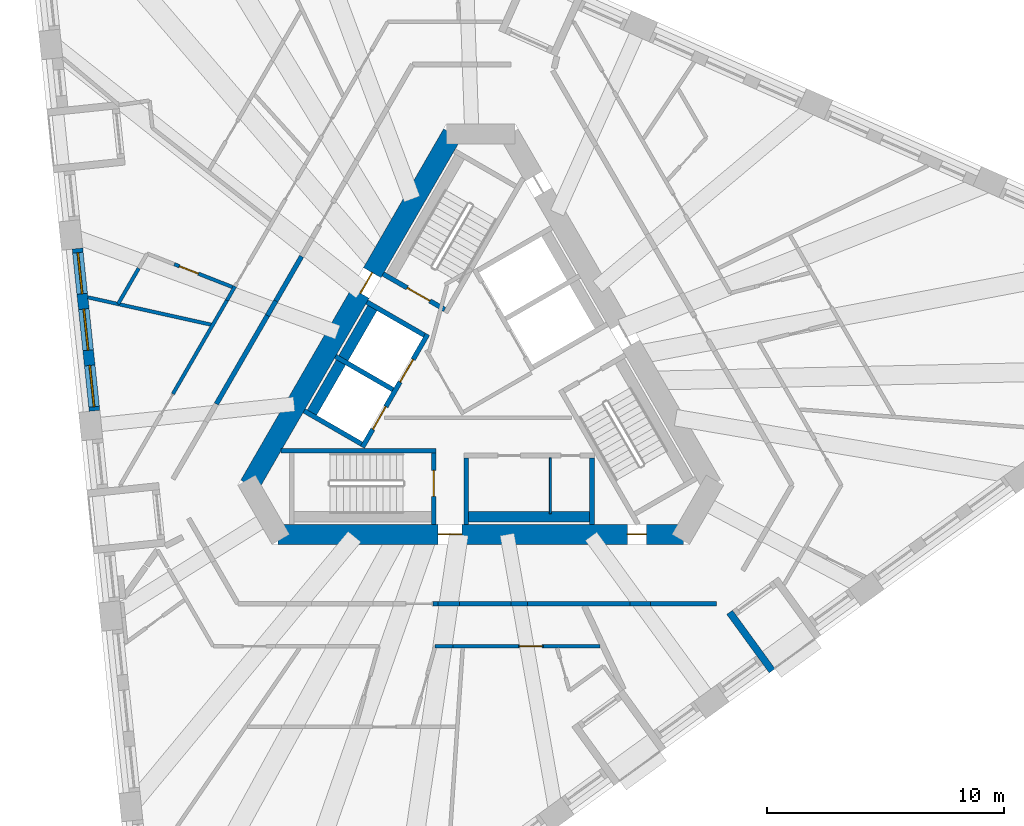
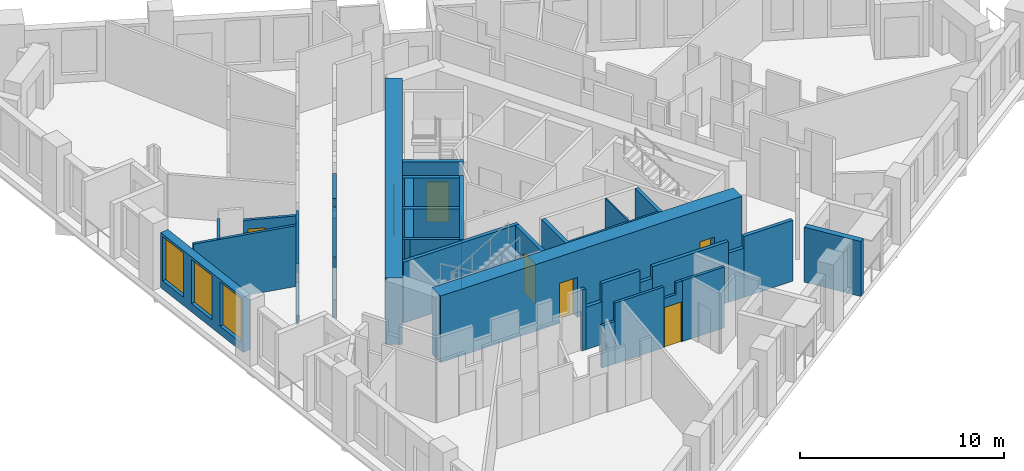
# One storey, part 4 of 14: 35 walls, 9 doors, 3 windows, 12 openings.
"""IFC4 building model written with IfcOpenShell, lengths in metres."""

from ifc_helpers import new_model, si_unit, direction, frame, frame_2d, origin, place, context, subcontext, project, spatial, polyline, rectangle, outline, extrude, material, layer, layer_set, type_object, element, fill, save


model = new_model("IFC4")

# Units and contexts
model_context = context("Model", 3, precision=1e-05, world=origin(), true_north=direction((0.0, 1.0)))
body_context = subcontext(model_context, "Body", "Model", "MODEL_VIEW")
ifc_project = project(units=[si_unit("LENGTHUNIT", "METRE"), si_unit("AREAUNIT", "SQUARE_METRE"), si_unit("VOLUMEUNIT", "CUBIC_METRE"), si_unit("PLANEANGLEUNIT", "RADIAN"), si_unit("MASSUNIT", "GRAM", prefix="KILO")], contexts=[model_context])

# Site, building, storey
site_placement = place(None, origin())
site = spatial("IfcSite", under=ifc_project, at=site_placement, CompositionType="ELEMENT")
building_placement = place(site_placement, origin())
building = spatial("IfcBuilding", under=site, at=building_placement, Name="Tramontana Tower", CompositionType="ELEMENT")
storey_placement = place(building_placement, frame((0.0, 0.0, 178.800048828125)))
storey = spatial("IfcBuildingStorey", under=building, at=storey_placement, Name="L41", CompositionType="ELEMENT", Elevation=178.800048828125)

# Wall, opening, door
ifc_material_1 = material(Name="Concrete 70 MPa", Category="concrete")
ifc_layer_1 = layer(ifc_material_1, 0.85009765625)
ifc_layer_set_1 = layer_set([ifc_layer_1], Name="Core wall 850 70 MPa")
wall_type_1 = type_object("IfcWallType", Name="Core wall 850 70 MPa", PredefinedType="SHEAR", material=ifc_layer_set_1)
wall_1_placement = place(storey_placement, frame((-1.197998046875, 10.574951171875, 0.0), z_axis=(0.0, 0.0, 1.0), x_axis=(-0.499995289315, -0.866028123483, 0.0)))
wall_1 = element("IfcWall", 1, at=wall_1_placement, inside=storey, type_object=wall_type_1, Name="Core wall C1 L41", PredefinedType="SHEAR", context=body_context, shape_type="SweptSolid", body=[
    extrude(rectangle(XDim=17.118408203125, YDim=0.85009765625, at=frame_2d((8.55908203125, 0.0))), origin(), (0.0, 0.0, 1.0), 4.0),
])
opening_1_placement = place(wall_1_placement, frame((6.76416015625, 0.0, 0.0)))
opening_1 = element("IfcOpeningElement", 2, at=opening_1_placement, cuts=wall_1, Name="Opening RG1", PredefinedType="OPENING", context=body_context, shape_type="SweptSolid", body=[
    extrude(rectangle(XDim=1.0, YDim=2.39990234375, at=frame_2d((0.5, 1.199951171875))), frame((0.0, 0.43505859375, 0.0), z_axis=(0.0, -1.0, 0.0), x_axis=(1.0, 0.0, 0.0)), (0.0, 0.0, 1.0), 0.8701171875),
])
ifc_material_2 = material(Name="Painted steel", Category="steel")
door_type_1 = type_object("IfcDoorType", Name="RING DOOR 1000", OperationType="SINGLE_SWING_LEFT", PredefinedType="DOOR", material=ifc_material_2)
door_1_placement = place(opening_1_placement, origin())
door_1 = element("IfcDoor", 3, at=door_1_placement, inside=storey, type_object=door_type_1, Name="Door RG1", OperationType="SINGLE_SWING_RIGHT", OverallHeight=2.39990234375, OverallWidth=1.0, PredefinedType="DOOR", context=body_context, shape_type="SweptSolid", body=[
    extrude(rectangle(XDim=1.0, YDim=2.39990234375, at=frame_2d((0.5, 1.199951171875))), frame((0.0, 0.02490234375, 0.0), z_axis=(0.0, -1.0, 0.0), x_axis=(1.0, 0.0, 0.0)), (0.0, 0.0, 1.0), 0.050048828125),
])
fill(opening_1, door_1)

# Wall, openings, doors
wall_2_placement = place(storey_placement, frame((-8.55908203125, -6.324951171875, 0.0), z_axis=(0.0, 0.0, 1.0), x_axis=(1.0, 0.0, 0.0)))
wall_2 = element("IfcWall", 4, at=wall_2_placement, inside=storey, type_object=wall_type_1, Name="Core wall C3 L41", PredefinedType="SHEAR", context=body_context, shape_type="SweptSolid", body=[
    extrude(rectangle(XDim=17.1181640625, YDim=0.85009765625, at=frame_2d((8.55908203125, 0.0))), origin(), (0.0, 0.0, 1.0), 4.0),
])
opening_2_placement = place(wall_2_placement, frame((6.76416015625, 0.0, 0.0)))
opening_2 = element("IfcOpeningElement", 5, at=opening_2_placement, cuts=wall_2, Name="Opening RG2", PredefinedType="OPENING", context=body_context, shape_type="SweptSolid", body=[
    extrude(rectangle(XDim=1.0, YDim=2.39990234375, at=frame_2d((0.5, 1.199951171875))), frame((0.0, 0.43505859375, 0.0), z_axis=(0.0, -1.0, 0.0), x_axis=(1.0, 0.0, 0.0)), (0.0, 0.0, 1.0), 0.8701171875),
])
opening_3_placement = place(wall_2_placement, frame((14.7421875, 0.0, 0.0)))
opening_3 = element("IfcOpeningElement", 6, at=opening_3_placement, cuts=wall_2, Name="Opening PD2", PredefinedType="OPENING", context=body_context, shape_type="SweptSolid", body=[
    extrude(rectangle(XDim=0.800048828125, YDim=2.10009765625, at=frame_2d((0.39990234375, 1.050048828125))), frame((0.0, 0.43505859375, 0.0), z_axis=(0.0, -1.0, 0.0), x_axis=(1.0, 0.0, 0.0)), (0.0, 0.0, 1.0), 0.8701171875),
])
ifc_material_3 = material(Name="Painted steel", Category="steel")
door_type_2 = type_object("IfcDoorType", Name="CUPBOARD DOOR 800", OperationType="SINGLE_SWING_LEFT", PredefinedType="DOOR", material=ifc_material_3)
door_2_placement = place(opening_3_placement, origin())
door_2 = element("IfcDoor", 7, at=door_2_placement, inside=storey, type_object=door_type_2, Name="Door PD2", OperationType="SINGLE_SWING_LEFT", OverallHeight=2.10009765625, OverallWidth=0.800048828125, PredefinedType="DOOR", context=body_context, shape_type="SweptSolid", body=[
    extrude(rectangle(XDim=0.800048828125, YDim=2.10009765625, at=frame_2d((0.39990234375, 1.050048828125))), frame((0.0, 0.02490234375, 0.0), z_axis=(0.0, -1.0, 0.0), x_axis=(1.0, 0.0, 0.0)), (0.0, 0.0, 1.0), 0.050048828125),
])
fill(opening_3, door_2)
door_3_placement = place(opening_2_placement, origin())
door_3 = element("IfcDoor", 8, at=door_3_placement, inside=storey, type_object=door_type_1, Name="Door RG2", OperationType="SINGLE_SWING_LEFT", OverallHeight=2.39990234375, OverallWidth=1.0, PredefinedType="DOOR", context=body_context, shape_type="SweptSolid", body=[
    extrude(rectangle(XDim=1.0, YDim=2.39990234375, at=frame_2d((0.5, 1.199951171875))), frame((0.0, 0.02490234375, 0.0), z_axis=(0.0, -1.0, 0.0), x_axis=(1.0, 0.0, 0.0)), (0.0, 0.0, 1.0), 0.050048828125),
])
fill(opening_2, door_3)

# Walls
ifc_material_4 = material(Name="Blockwork", Category="masonry")
ifc_layer_2 = layer(ifc_material_4, 0.199951171875)
ifc_layer_set_2 = layer_set([ifc_layer_2], Name="ENTRY WALL 200")
wall_type_2 = type_object("IfcWallType", Name="ENTRY WALL 200", PredefinedType="SOLIDWALL", material=ifc_layer_set_2)
wall_3_placement = place(storey_placement, frame((9.95166015625, -9.25, 0.0), z_axis=(0.0, 0.0, 1.0), x_axis=(-1.0, 0.0, 0.0)))
element("IfcWall", 9, at=wall_3_placement, inside=storey, type_object=wall_type_2, Name="Wall v41-ew2-0", PredefinedType="SOLIDWALL", context=body_context, shape_type="SweptSolid", body=[
    extrude(rectangle(XDim=2.798583984375, YDim=0.199951171875, at=frame_2d((1.3994140625, 0.0))), origin(), (0.0, 0.0, 1.0), 3.64990234375),
])
wall_4_placement = place(storey_placement, frame((7.153076171875, -9.25, 0.0), z_axis=(0.0, 0.0, 1.0), x_axis=(-1.0, 0.0, 0.0)))
element("IfcWall", 10, at=wall_4_placement, inside=storey, type_object=wall_type_2, Name="Wall v41-ew2-1", PredefinedType="SOLIDWALL", context=body_context, shape_type="SweptSolid", body=[
    extrude(rectangle(XDim=0.865234375, YDim=0.199951171875, at=frame_2d((0.4326171875, 0.0))), origin(), (0.0, 0.0, 1.0), 2.949951171875),
])
wall_5_placement = place(storey_placement, frame((6.287841796875, -9.25, 0.0), z_axis=(0.0, 0.0, 1.0), x_axis=(-1.0, 0.0, 0.0)))
element("IfcWall", 11, at=wall_5_placement, inside=storey, type_object=wall_type_2, Name="Wall v41-ew2-2", PredefinedType="SOLIDWALL", context=body_context, shape_type="SweptSolid", body=[
    extrude(rectangle(XDim=4.306640625, YDim=0.199951171875, at=frame_2d((2.1533203125, 0.0))), origin(), (0.0, 0.0, 1.0), 3.64990234375),
])
wall_6_placement = place(storey_placement, frame((1.981201171875, -9.25, 0.0), z_axis=(0.0, 0.0, 1.0), x_axis=(-1.0, 0.0, 0.0)))
element("IfcWall", 12, at=wall_6_placement, inside=storey, type_object=wall_type_2, Name="Wall v41-ew2-3", PredefinedType="SOLIDWALL", context=body_context, shape_type="SweptSolid", body=[
    extrude(rectangle(XDim=0.710693359375, YDim=0.199951171875, at=frame_2d((0.35546875, 0.0))), origin(), (0.0, 0.0, 1.0), 2.949951171875),
])
wall_7_placement = place(storey_placement, frame((1.2705078125, -9.25, 0.0), z_axis=(0.0, 0.0, 1.0), x_axis=(-1.0, 0.0, 0.0)))
element("IfcWall", 13, at=wall_7_placement, inside=storey, type_object=wall_type_2, Name="Wall v41-ew2-4", PredefinedType="SOLIDWALL", context=body_context, shape_type="SweptSolid", body=[
    extrude(rectangle(XDim=2.169677734375, YDim=0.199951171875, at=frame_2d((1.0849609375, 0.0))), origin(), (0.0, 0.0, 1.0), 3.64990234375),
])
wall_8_placement = place(storey_placement, frame((-0.899169921875, -9.25, 0.0), z_axis=(0.0, 0.0, 1.0), x_axis=(-1.0, 0.0, 0.0)))
element("IfcWall", 14, at=wall_8_placement, inside=storey, type_object=wall_type_2, Name="Wall v41-ew2-5", PredefinedType="SOLIDWALL", context=body_context, shape_type="SweptSolid", body=[
    extrude(rectangle(XDim=0.909423828125, YDim=0.199951171875, at=frame_2d((0.45458984375, 0.0))), origin(), (0.0, 0.0, 1.0), 2.550048828125),
])
wall_9_placement = place(storey_placement, frame((-1.80859375, -9.25, 0.0), z_axis=(0.0, 0.0, 1.0), x_axis=(-1.0, 0.0, 0.0)))
element("IfcWall", 15, at=wall_9_placement, inside=storey, type_object=wall_type_2, Name="Wall v41-ew2-6", PredefinedType="SOLIDWALL", context=body_context, shape_type="SweptSolid", body=[
    extrude(rectangle(XDim=0.200439453125, YDim=0.199951171875, at=frame_2d((0.10009765625, 0.0))), origin(), (0.0, 0.0, 1.0), 3.64990234375),
])
wall_10_placement = place(storey_placement, frame((-11.15478515625, -0.820556640625, 0.0), z_axis=(0.0, 0.0, 1.0), x_axis=(0.499992344383, 0.866029823712, 0.0)))
element("IfcWall", 16, at=wall_10_placement, inside=storey, type_object=wall_type_2, Name="Wall v41-ew4-2", PredefinedType="SOLIDWALL", context=body_context, shape_type="SweptSolid", body=[
    extrude(rectangle(XDim=4.306640625, YDim=0.199951171875, at=frame_2d((2.1533203125, 0.0))), origin(), (0.0, 0.0, 1.0), 3.64990234375),
])
wall_11_placement = place(storey_placement, frame((-9.00146484375, 2.9091796875, 0.0), z_axis=(0.0, 0.0, 1.0), x_axis=(0.50012879774, 0.865951029603, 0.0)))
element("IfcWall", 17, at=wall_11_placement, inside=storey, type_object=wall_type_2, Name="Wall v41-ew4-3", PredefinedType="SOLIDWALL", context=body_context, shape_type="SweptSolid", body=[
    extrude(rectangle(XDim=0.710693359375, YDim=0.199951171875, at=frame_2d((0.35546875, 0.0))), origin(), (0.0, 0.0, 1.0), 2.949951171875),
])
wall_12_placement = place(storey_placement, frame((-8.64599609375, 3.524658203125, 0.0), z_axis=(0.0, 0.0, 1.0), x_axis=(0.499975720793, 0.866039420937, 0.0)))
element("IfcWall", 18, at=wall_12_placement, inside=storey, type_object=wall_type_2, Name="Wall v41-ew4-4", PredefinedType="SOLIDWALL", context=body_context, shape_type="SweptSolid", body=[
    extrude(rectangle(XDim=2.16943359375, YDim=0.199951171875, at=frame_2d((1.084716796875, 0.0))), origin(), (0.0, 0.0, 1.0), 3.64990234375),
])

# Wall, openings, windows
ifc_material_5 = material(Name="Precast concrete 60 MPa", Category="concrete")
ifc_layer_3 = layer(ifc_material_5, 0.449951171875)
ifc_layer_set_3 = layer_set([ifc_layer_3], Name="Precast concrete 60 MPa, 450 mm")
wall_type_3 = type_object("IfcWallType", Name="EW1 Stone-faced precast wall 450", PredefinedType="SOLIDWALL", material=ifc_layer_set_3)
wall_13_placement = place(storey_placement, frame((-17.017822265625, 5.735595703125, 0.0), z_axis=(0.0, 0.0, 1.0), x_axis=(0.104531531326, -0.994521572898, 0.0)))
wall_13 = element("IfcWall", 19, at=wall_13_placement, inside=storey, type_object=wall_type_3, Name="External wall L41 face 0 bay 3", PredefinedType="SOLIDWALL", context=body_context, shape_type="SweptSolid", body=[
    extrude(rectangle(XDim=6.8828125, YDim=0.449951171875, at=frame_2d((3.44140625, 0.0))), origin(), (0.0, 0.0, 1.0), 3.300048828125),
])
opening_4_placement = place(wall_13_placement, frame((0.172119140625, 0.0, 0.5)))
opening_4 = element("IfcOpeningElement", 20, at=opening_4_placement, cuts=wall_13, Name="Opening M2", PredefinedType="OPENING", context=body_context, shape_type="SweptSolid", body=[
    extrude(rectangle(XDim=1.75, YDim=2.64990234375, at=frame_2d((0.875, 1.324951171875))), frame((0.0, 0.23486328125, 0.0), z_axis=(0.0, -1.0, 0.0), x_axis=(1.0, 0.0, 0.0)), (0.0, 0.0, 1.0), 0.469970703125),
])
opening_5_placement = place(wall_13_placement, frame((2.56640625, 0.0, 0.5)))
opening_5 = element("IfcOpeningElement", 21, at=opening_5_placement, cuts=wall_13, Name="Opening M2", PredefinedType="OPENING", context=body_context, shape_type="SweptSolid", body=[
    extrude(rectangle(XDim=1.75, YDim=2.64990234375, at=frame_2d((0.875, 1.324951171875))), frame((0.0, 0.23486328125, 0.0), z_axis=(0.0, -1.0, 0.0), x_axis=(1.0, 0.0, 0.0)), (0.0, 0.0, 1.0), 0.469970703125),
])
opening_6_placement = place(wall_13_placement, frame((4.960693359375, 0.0, 0.5)))
opening_6 = element("IfcOpeningElement", 22, at=opening_6_placement, cuts=wall_13, Name="Opening M2", PredefinedType="OPENING", context=body_context, shape_type="SweptSolid", body=[
    extrude(rectangle(XDim=1.75, YDim=2.64990234375, at=frame_2d((0.875, 1.324951171875))), frame((0.0, 0.23486328125, 0.0), z_axis=(0.0, -1.0, 0.0), x_axis=(1.0, 0.0, 0.0)), (0.0, 0.0, 1.0), 0.469970703125),
])
ifc_material_6 = material(Name="Aluminum frame, double glazing unit", Category="aluminium")
window_type = type_object("IfcWindowType", Name="M2 Window 1.75 x 2.65", PartitioningType="SINGLE_PANEL", PredefinedType="WINDOW", material=ifc_material_6)
window_1_placement = place(opening_4_placement, origin())
window_1 = element("IfcWindow", 23, at=window_1_placement, inside=storey, type_object=window_type, Name="Window M2 L41 face 0 module 7", OverallHeight=2.64990234375, OverallWidth=1.75, PartitioningType="SINGLE_PANEL", PredefinedType="WINDOW", context=body_context, shape_type="SweptSolid", body=[
    extrude(rectangle(XDim=1.75, YDim=2.64990234375, at=frame_2d((0.875, 1.324951171875))), frame((0.0, 0.030029296875, 0.0), z_axis=(0.0, -1.0, 0.0), x_axis=(1.0, 0.0, 0.0)), (0.0, 0.0, 1.0), 0.06005859375),
])
fill(opening_4, window_1)
window_2_placement = place(opening_5_placement, origin())
window_2 = element("IfcWindow", 24, at=window_2_placement, inside=storey, type_object=window_type, Name="Window M2 L41 face 0 module 8", OverallHeight=2.64990234375, OverallWidth=1.75, PartitioningType="SINGLE_PANEL", PredefinedType="WINDOW", context=body_context, shape_type="SweptSolid", body=[
    extrude(rectangle(XDim=1.75, YDim=2.64990234375, at=frame_2d((0.875, 1.324951171875))), frame((0.0, 0.030029296875, 0.0), z_axis=(0.0, -1.0, 0.0), x_axis=(1.0, 0.0, 0.0)), (0.0, 0.0, 1.0), 0.06005859375),
])
fill(opening_5, window_2)
window_3_placement = place(opening_6_placement, origin())
window_3 = element("IfcWindow", 25, at=window_3_placement, inside=storey, type_object=window_type, Name="Window M2 L41 face 0 module 9", OverallHeight=2.64990234375, OverallWidth=1.75, PartitioningType="SINGLE_PANEL", PredefinedType="WINDOW", context=body_context, shape_type="SweptSolid", body=[
    extrude(rectangle(XDim=1.75, YDim=2.64990234375, at=frame_2d((0.875, 1.324951171875))), frame((0.0, 0.030029296875, 0.0), z_axis=(0.0, -1.0, 0.0), x_axis=(1.0, 0.0, 0.0)), (0.0, 0.0, 1.0), 0.06005859375),
])
fill(opening_6, window_3)

# Walls
ifc_material_7 = material(Name="Precast concrete 60 MPa", Category="concrete")
ifc_layer_4 = layer(ifc_material_7, 0.300048828125)
ifc_layer_set_4 = layer_set([ifc_layer_4], Name="LW1 Stone-faced loggia wall 300")
wall_type_4 = type_object("IfcWallType", Name="LW1 Stone-faced loggia wall 300", PredefinedType="SOLIDWALL", material=ifc_layer_set_4)
wall_14_placement = place(storey_placement, frame((12.29345703125, -12.08154296875, 0.0), z_axis=(0.0, 0.0, 1.0), x_axis=(-0.587776590479, 0.80902328748, 0.0)))
element("IfcWall", 26, at=wall_14_placement, inside=storey, type_object=wall_type_4, Name="Loggia return L41 G4S1.10a", PredefinedType="SOLIDWALL", context=body_context, shape_type="SweptSolid", body=[
    extrude(rectangle(XDim=3.050048828125, YDim=0.300048828125, at=frame_2d((1.52490234375, 0.0))), origin(), (0.0, 0.0, 1.0), 3.300048828125),
])
ifc_material_8 = material(Name="Gypsum board partition")
ifc_layer_5 = layer(ifc_material_8, 0.14990234375)
ifc_layer_set_5 = layer_set([ifc_layer_5], Name="PARTITION 150")
wall_type_5 = type_object("IfcWallType", Name="PARTITION 150", PredefinedType="PARTITIONING", material=ifc_layer_set_5)
wall_15_placement = place(storey_placement, frame((-15.3017578125, 3.396484375, 0.0), z_axis=(0.0, 0.0, 1.0), x_axis=(0.499989842173, 0.866031268329, 0.0)))
element("IfcWall", 27, at=wall_15_placement, inside=storey, type_object=wall_type_5, Name="Wall v41-pw00-0", PredefinedType="PARTITIONING", context=body_context, shape_type="SweptSolid", body=[
    extrude(rectangle(XDim=1.73876953125, YDim=0.14990234375, at=frame_2d((0.869384765625, 0.0))), origin(), (0.0, 0.0, 1.0), 3.64990234375),
])
wall_16_placement = place(storey_placement, frame((-12.98876953125, -0.3974609375, 0.0), z_axis=(0.0, 0.0, 1.0), x_axis=(0.499962245075, 0.866047200503, 0.0)))
element("IfcWall", 28, at=wall_16_placement, inside=storey, type_object=wall_type_5, Name="Wall v41-pw02-2", PredefinedType="PARTITIONING", context=body_context, shape_type="SweptSolid", body=[
    extrude(rectangle(XDim=4.553466796875, YDim=0.14990234375, at=frame_2d((2.27685546875, 0.0))), origin(), (0.0, 0.0, 1.0), 3.64990234375),
])
wall_17_placement = place(storey_placement, frame((-10.712158203125, 3.546142578125, 0.0), z_axis=(0.0, 0.0, 1.0), x_axis=(0.50012328804, 0.865954211699, 0.0)))
element("IfcWall", 29, at=wall_17_placement, inside=storey, type_object=wall_type_5, Name="Wall v41-pw02-3", PredefinedType="PARTITIONING", context=body_context, shape_type="SweptSolid", body=[
    extrude(rectangle(XDim=0.685302734375, YDim=0.14990234375, at=frame_2d((0.3427734375, 0.0))), origin(), (0.0, 0.0, 1.0), 2.949951171875),
])

# Wall, opening, door
wall_18_placement = place(storey_placement, frame((-10.4736328125, 4.109375, 0.0), z_axis=(0.0, 0.0, 1.0), x_axis=(-0.930912162403, 0.365243132571, 0.0)))
wall_18 = element("IfcWall", 30, at=wall_18_placement, inside=storey, type_object=wall_type_5, Name="Wall v41-pw08-1", PredefinedType="PARTITIONING", context=body_context, shape_type="SweptSolid", body=[
    extrude(rectangle(XDim=2.6396484375, YDim=0.14990234375, at=frame_2d((1.31982421875, 0.0))), origin(), (0.0, 0.0, 1.0), 2.949951171875),
])
opening_7_placement = place(wall_18_placement, frame((1.55224609375, 0.0, 0.0)))
opening_7 = element("IfcOpeningElement", 31, at=opening_7_placement, cuts=wall_18, Name="Opening B4B-07", PredefinedType="OPENING", context=body_context, shape_type="SweptSolid", body=[
    extrude(rectangle(XDim=0.85009765625, YDim=2.39990234375, at=frame_2d((0.425048828125, 1.199951171875))), frame((0.0, 0.0849609375, 0.0), z_axis=(0.0, -1.0, 0.0), x_axis=(1.0, 0.0, 0.0)), (0.0, 0.0, 1.0), 0.169921875),
])
ifc_material_9 = material(Name="Painted timber", Category="wood")
door_type_3 = type_object("IfcDoorType", Name="DOOR BATH 850", OperationType="SINGLE_SWING_LEFT", PredefinedType="DOOR", material=ifc_material_9)
door_4_placement = place(opening_7_placement, origin())
door_4 = element("IfcDoor", 32, at=door_4_placement, inside=storey, type_object=door_type_3, Name="Door B4B-07", OperationType="SINGLE_SWING_LEFT", OverallHeight=2.39990234375, OverallWidth=0.85009765625, PredefinedType="DOOR", context=body_context, shape_type="SweptSolid", body=[
    extrude(rectangle(XDim=0.85009765625, YDim=2.39990234375, at=frame_2d((0.425048828125, 1.199951171875))), frame((0.0, 0.02490234375, 0.0), z_axis=(0.0, -1.0, 0.0), x_axis=(1.0, 0.0, 0.0)), (0.0, 0.0, 1.0), 0.050048828125),
])
fill(opening_7, door_4)

# Walls
wall_19_placement = place(storey_placement, frame((-11.3125, 2.509033203125, 0.0), z_axis=(0.0, 0.0, 1.0), x_axis=(-0.976273304497, 0.216541993449, 0.0)))
element("IfcWall", 33, at=wall_19_placement, inside=storey, type_object=wall_type_5, Name="Wall v41-pw16", PredefinedType="PARTITIONING", context=body_context, shape_type="SweptSolid", body=[
    extrude(rectangle(XDim=5.390380859375, YDim=0.14990234375, at=frame_2d((2.6953125, 0.0))), origin(), (0.0, 0.0, 1.0), 3.64990234375),
])
wall_20_placement = place(storey_placement, frame((5.03076171875, -11.050048828125, 0.0), z_axis=(0.0, 0.0, 1.0), x_axis=(-1.0, 0.0, 0.0)))
element("IfcWall", 34, at=wall_20_placement, inside=storey, type_object=wall_type_5, Name="Wall v41-pw35-0", PredefinedType="PARTITIONING", context=body_context, shape_type="SweptSolid", body=[
    extrude(rectangle(XDim=2.390625, YDim=0.14990234375, at=frame_2d((1.1953125, 0.0))), origin(), (0.0, 0.0, 1.0), 3.64990234375),
])

# Wall, opening, door
wall_21_placement = place(storey_placement, frame((2.64013671875, -11.050048828125, 0.0), z_axis=(0.0, 0.0, 1.0), x_axis=(-1.0, 0.0, 0.0)))
wall_21 = element("IfcWall", 35, at=wall_21_placement, inside=storey, type_object=wall_type_5, Name="Wall v41-pw35-1", PredefinedType="PARTITIONING", context=body_context, shape_type="SweptSolid", body=[
    extrude(outline(polyline([(0.0, 0.0), (1.0498046875, 0.0), (1.050048828125, 2.949951171875), (0.355224609375, 2.949951171875), (0.355224609375, 3.64990234375), (0.0, 3.64990234375), (0.0, 0.0)])), frame((0.0, 0.074951171875, 0.0), z_axis=(0.0, -1.0, 0.0), x_axis=(1.0, 0.0, 0.0)), (0.0, 0.0, 1.0), 0.14990234375),
])
opening_8_placement = place(wall_21_placement, frame((0.050048828125, 0.0, 0.0)))
opening_8 = element("IfcOpeningElement", 36, at=opening_8_placement, cuts=wall_21, Name="Opening B4B-12", PredefinedType="OPENING", context=body_context, shape_type="SweptSolid", body=[
    extrude(rectangle(XDim=0.949951171875, YDim=2.39990234375, at=frame_2d((0.47509765625, 1.199951171875))), frame((0.0, 0.0849609375, 0.0), z_axis=(0.0, -1.0, 0.0), x_axis=(1.0, 0.0, 0.0)), (0.0, 0.0, 1.0), 0.169921875),
])
ifc_material_10 = material(Name="Painted timber", Category="wood")
door_type_4 = type_object("IfcDoorType", Name="DOOR ROOM 950", OperationType="SINGLE_SWING_LEFT", PredefinedType="DOOR", material=ifc_material_10)
door_5_placement = place(opening_8_placement, origin())
door_5 = element("IfcDoor", 37, at=door_5_placement, inside=storey, type_object=door_type_4, Name="Door B4B-12", OperationType="SINGLE_SWING_RIGHT", OverallHeight=2.39990234375, OverallWidth=0.949951171875, PredefinedType="DOOR", context=body_context, shape_type="SweptSolid", body=[
    extrude(rectangle(XDim=0.949951171875, YDim=2.39990234375, at=frame_2d((0.47509765625, 1.199951171875))), frame((0.0, 0.02490234375, 0.0), z_axis=(0.0, -1.0, 0.0), x_axis=(1.0, 0.0, 0.0)), (0.0, 0.0, 1.0), 0.050048828125),
])
fill(opening_8, door_5)

# Walls
wall_22_placement = place(storey_placement, frame((1.59033203125, -11.050048828125, 0.0), z_axis=(0.0, 0.0, 1.0), x_axis=(-1.0, 0.0, 0.0)))
element("IfcWall", 38, at=wall_22_placement, inside=storey, type_object=wall_type_5, Name="Wall v41-pw35-2", PredefinedType="PARTITIONING", context=body_context, shape_type="SweptSolid", body=[
    extrude(rectangle(XDim=2.765625, YDim=0.14990234375, at=frame_2d((1.3828125, 0.0))), origin(), (0.0, 0.0, 1.0), 3.64990234375),
])
wall_23_placement = place(storey_placement, frame((-1.17529296875, -11.050048828125, 0.0), z_axis=(0.0, 0.0, 1.0), x_axis=(-1.0, 0.0, 0.0)))
element("IfcWall", 39, at=wall_23_placement, inside=storey, type_object=wall_type_5, Name="Wall v41-pw35-3", PredefinedType="PARTITIONING", context=body_context, shape_type="SweptSolid", body=[
    extrude(rectangle(XDim=0.74658203125, YDim=0.14990234375, at=frame_2d((0.373291015625, 0.0))), origin(), (0.0, 0.0, 1.0), 2.550048828125),
])
ifc_material_11 = material(Name="Gypsum board partition")
ifc_layer_6 = layer(ifc_material_11, 0.080078125)
ifc_layer_set_6 = layer_set([ifc_layer_6], Name="PARTITION 80")
wall_type_6 = type_object("IfcWallType", Name="PARTITION 80", PredefinedType="PARTITIONING", material=ifc_layer_set_6)
wall_24_placement = place(storey_placement, frame((2.93994140625, -3.10009765625, 0.0), z_axis=(0.0, 0.0, 1.0), x_axis=(0.0, -1.0, 0.0)))
element("IfcWall", 40, at=wall_24_placement, inside=storey, type_object=wall_type_6, Name="Wall row1-split", PredefinedType="PARTITIONING", context=body_context, shape_type="SweptSolid", body=[
    extrude(rectangle(XDim=2.349853515625, YDim=0.080078125, at=frame_2d((1.1748046875, 0.0))), origin(), (0.0, 0.0, 1.0), 3.64990234375),
])
ifc_material_12 = material(Name="Concrete 70 MPa", Category="concrete")
ifc_layer_7 = layer(ifc_material_12, 0.449951171875)
ifc_layer_set_7 = layer_set([ifc_layer_7], Name="Concrete 70 MPa, 450 mm")
wall_type_7 = type_object("IfcWallType", Name="RC SHAFT BACK WALL 450", PredefinedType="SOLIDWALL", material=ifc_layer_set_7)
for number, where, z_axis, x_axis, name in (
    (41, (-4.47314453125, 3.40234375, 0.0), (0.0, 0.0, 1.0), (-0.499996545922, -0.866027397988, 0.0), "Wall row0-back"),
    (42, (-0.7099609375, -5.574951171875, 0.0), (0.0, 0.0, 1.0), (1.0, 0.0, 0.0), "Wall row1-back"),
):
    element("IfcWall", number, at=place(storey_placement, frame(where, z_axis=z_axis, x_axis=x_axis)), inside=storey, type_object=wall_type_7, Name=name, PredefinedType="SOLIDWALL", context=body_context, shape_type="SweptSolid", body=[
        extrude(rectangle(XDim=5.5, YDim=0.449951171875, at=frame_2d((2.75, 0.0))), origin(), (0.0, 0.0, 1.0), 3.64990234375),
    ])

# Wall, opening, door
ifc_material_13 = material(Name="Concrete 70 MPa", Category="concrete")
ifc_layer_8 = layer(ifc_material_13, 0.199951171875)
ifc_layer_set_8 = layer_set([ifc_layer_8], Name="Concrete 70 MPa, 200 mm")
wall_type_8 = type_object("IfcWallType", Name="RC STAIR AND SHAFT WALL 200", PredefinedType="SOLIDWALL", material=ifc_layer_set_8)
wall_25_placement = place(storey_placement, frame((-1.521484375, 3.164794921875, 0.0), z_axis=(0.0, 0.0, 1.0), x_axis=(-0.866031096941, 0.499990139034, 0.0)))
wall_25 = element("IfcWall", 43, at=wall_25_placement, inside=storey, type_object=wall_type_8, Name="Wall st1-near", PredefinedType="SOLIDWALL", context=body_context, shape_type="SweptSolid", body=[
    extrude(rectangle(XDim=3.0, YDim=0.199951171875, at=frame_2d((1.5, 0.0))), origin(), (0.0, 0.0, 1.0), 3.64990234375),
])
opening_9_placement = place(wall_25_placement, frame((0.72509765625, 0.0, 0.0)))
opening_9 = element("IfcOpeningElement", 44, at=opening_9_placement, cuts=wall_25, Name="Opening SD1", PredefinedType="OPENING", context=body_context, shape_type="SweptSolid", body=[
    extrude(rectangle(XDim=1.10009765625, YDim=2.39990234375, at=frame_2d((0.550048828125, 1.199951171875))), frame((0.0, 0.10986328125, 0.0), z_axis=(0.0, -1.0, 0.0), x_axis=(1.0, 0.0, 0.0)), (0.0, 0.0, 1.0), 0.219970703125),
])
ifc_material_14 = material(Name="Painted steel", Category="steel")
door_type_5 = type_object("IfcDoorType", Name="STAIR DOOR 1100", OperationType="SINGLE_SWING_LEFT", PredefinedType="DOOR", material=ifc_material_14)
door_6_placement = place(opening_9_placement, origin())
door_6 = element("IfcDoor", 45, at=door_6_placement, inside=storey, type_object=door_type_5, Name="Door SD1", OperationType="SINGLE_SWING_RIGHT", OverallHeight=2.39990234375, OverallWidth=1.10009765625, PredefinedType="DOOR", context=body_context, shape_type="SweptSolid", body=[
    extrude(rectangle(XDim=1.10009765625, YDim=2.39990234375, at=frame_2d((0.550048828125, 1.199951171875))), frame((0.0, 0.02490234375, 0.0), z_axis=(0.0, -1.0, 0.0), x_axis=(1.0, 0.0, 0.0)), (0.0, 0.0, 1.0), 0.050048828125),
])
fill(opening_9, door_6)

# Wall
wall_26_placement = place(storey_placement, frame((-8.42919921875, -2.800048828125, 0.0), z_axis=(0.0, 0.0, 1.0), x_axis=(1.0, 0.0, 0.0)))
element("IfcWall", 46, at=wall_26_placement, inside=storey, type_object=wall_type_8, Name="Wall st2-front", PredefinedType="SOLIDWALL", context=body_context, shape_type="SweptSolid", body=[
    extrude(rectangle(XDim=6.54931640625, YDim=0.199951171875, at=frame_2d((3.274658203125, 0.0))), origin(), (0.0, 0.0, 1.0), 3.64990234375),
])

# Wall, opening, door
wall_27_placement = place(storey_placement, frame((-1.97998046875, -2.89990234375, 0.0), z_axis=(0.0, 0.0, 1.0), x_axis=(0.0, -1.0, 0.0)))
wall_27 = element("IfcWall", 47, at=wall_27_placement, inside=storey, type_object=wall_type_8, Name="Wall st2-near", PredefinedType="SOLIDWALL", context=body_context, shape_type="SweptSolid", body=[
    extrude(rectangle(XDim=3.0, YDim=0.199951171875, at=frame_2d((1.5, 0.0))), origin(), (0.0, 0.0, 1.0), 3.64990234375),
])
opening_10_placement = place(wall_27_placement, frame((0.72509765625, 0.0, 0.0)))
opening_10 = element("IfcOpeningElement", 48, at=opening_10_placement, cuts=wall_27, Name="Opening SD2", PredefinedType="OPENING", context=body_context, shape_type="SweptSolid", body=[
    extrude(rectangle(XDim=1.10009765625, YDim=2.39990234375, at=frame_2d((0.550048828125, 1.199951171875))), frame((0.0, 0.10986328125, 0.0), z_axis=(0.0, -1.0, 0.0), x_axis=(1.0, 0.0, 0.0)), (0.0, 0.0, 1.0), 0.219970703125),
])
door_7_placement = place(opening_10_placement, origin())
door_7 = element("IfcDoor", 49, at=door_7_placement, inside=storey, type_object=door_type_5, Name="Door SD2", OperationType="SINGLE_SWING_LEFT", OverallHeight=2.39990234375, OverallWidth=1.10009765625, PredefinedType="DOOR", context=body_context, shape_type="SweptSolid", body=[
    extrude(rectangle(XDim=1.10009765625, YDim=2.39990234375, at=frame_2d((0.550048828125, 1.199951171875))), frame((0.0, 0.02490234375, 0.0), z_axis=(0.0, -1.0, 0.0), x_axis=(1.0, 0.0, 0.0)), (0.0, 0.0, 1.0), 0.050048828125),
])
fill(opening_10, door_7)

# Wall, openings, doors
wall_28_placement = place(storey_placement, frame((-2.2431640625, 2.114990234375, 0.0), z_axis=(0.0, 0.0, 1.0), x_axis=(-0.499996545922, -0.866027397988, 0.0)))
wall_28 = element("IfcWall", 50, at=wall_28_placement, inside=storey, type_object=wall_type_8, Name="Wall row0-front", PredefinedType="SOLIDWALL", context=body_context, shape_type="SweptSolid", body=[
    extrude(rectangle(XDim=5.5, YDim=0.199951171875, at=frame_2d((2.75, 0.0))), origin(), (0.0, 0.0, 1.0), 3.64990234375),
])
opening_11_placement = place(wall_28_placement, frame((1.219970703125, 0.0, 0.0)))
opening_11 = element("IfcOpeningElement", 51, at=opening_11_placement, cuts=wall_28, Name="Opening LD-P1", PredefinedType="OPENING", context=body_context, shape_type="SweptSolid", body=[
    extrude(rectangle(XDim=1.10009765625, YDim=2.10009765625, at=frame_2d((0.550048828125, 1.050048828125))), frame((0.0, 0.10986328125, 0.0), z_axis=(0.0, -1.0, 0.0), x_axis=(1.0, 0.0, 0.0)), (0.0, 0.0, 1.0), 0.219970703125),
])
opening_12_placement = place(wall_28_placement, frame((3.52490234375, 0.0, 0.0)))
opening_12 = element("IfcOpeningElement", 52, at=opening_12_placement, cuts=wall_28, Name="Opening LD-P2", PredefinedType="OPENING", context=body_context, shape_type="SweptSolid", body=[
    extrude(rectangle(XDim=1.10009765625, YDim=2.10009765625, at=frame_2d((0.550048828125, 1.050048828125))), frame((0.0, 0.10986328125, 0.0), z_axis=(0.0, -1.0, 0.0), x_axis=(1.0, 0.0, 0.0)), (0.0, 0.0, 1.0), 0.219970703125),
])
ifc_material_15 = material(Name="Brushed steel", Category="steel")
door_type_6 = type_object("IfcDoorType", Name="LANDING DOOR 1100", OperationType="SINGLE_SWING_LEFT", PredefinedType="DOOR", material=ifc_material_15)
door_8_placement = place(opening_11_placement, origin())
door_8 = element("IfcDoor", 53, at=door_8_placement, inside=storey, type_object=door_type_6, Name="Door LD-P1", OperationType="SLIDING_TO_LEFT", OverallHeight=2.10009765625, OverallWidth=1.10009765625, PredefinedType="DOOR", context=body_context, shape_type="SweptSolid", body=[
    extrude(rectangle(XDim=1.10009765625, YDim=2.10009765625, at=frame_2d((0.550048828125, 1.050048828125))), frame((0.0, 0.02490234375, 0.0), z_axis=(0.0, -1.0, 0.0), x_axis=(1.0, 0.0, 0.0)), (0.0, 0.0, 1.0), 0.050048828125),
])
fill(opening_11, door_8)
door_9_placement = place(opening_12_placement, origin())
door_9 = element("IfcDoor", 54, at=door_9_placement, inside=storey, type_object=door_type_6, Name="Door LD-P2", OperationType="SLIDING_TO_RIGHT", OverallHeight=2.10009765625, OverallWidth=1.10009765625, PredefinedType="DOOR", context=body_context, shape_type="SweptSolid", body=[
    extrude(rectangle(XDim=1.10009765625, YDim=2.10009765625, at=frame_2d((0.550048828125, 1.050048828125))), frame((0.0, 0.02490234375, 0.0), z_axis=(0.0, -1.0, 0.0), x_axis=(1.0, 0.0, 0.0)), (0.0, 0.0, 1.0), 0.050048828125),
])
fill(opening_12, door_9)

# Walls
wall_29_placement = place(storey_placement, frame((-2.379638671875, 2.078369140625, 0.0), z_axis=(0.0, 0.0, 1.0), x_axis=(-0.866034573852, 0.49998411664, 0.0)))
element("IfcWall", 55, at=wall_29_placement, inside=storey, type_object=wall_type_8, Name="Wall row0-side0", PredefinedType="SOLIDWALL", context=body_context, shape_type="SweptSolid", body=[
    extrude(rectangle(XDim=2.7998046875, YDim=0.199951171875, at=frame_2d((1.39990234375, 0.0))), origin(), (0.0, 0.0, 1.0), 3.64990234375),
])
wall_30_placement = place(storey_placement, frame((-3.70458984375, -0.216796875, 0.0), z_axis=(0.0, 0.0, 1.0), x_axis=(-0.866018616679, 0.500011755427, 0.0)))
element("IfcWall", 56, at=wall_30_placement, inside=storey, type_object=wall_type_8, Name="Wall row0-side1", PredefinedType="SOLIDWALL", context=body_context, shape_type="SweptSolid", body=[
    extrude(rectangle(XDim=2.80029296875, YDim=0.199951171875, at=frame_2d((1.400146484375, 0.0))), origin(), (0.0, 0.0, 1.0), 3.64990234375),
])
wall_31_placement = place(storey_placement, frame((-5.02978515625, -2.51171875, 0.0), z_axis=(0.0, 0.0, 1.0), x_axis=(-0.865996816683, 0.500049511043, 0.0)))
element("IfcWall", 57, at=wall_31_placement, inside=storey, type_object=wall_type_8, Name="Wall row0-side2", PredefinedType="SOLIDWALL", context=body_context, shape_type="SweptSolid", body=[
    extrude(rectangle(XDim=2.800048828125, YDim=0.199951171875, at=frame_2d((1.39990234375, 0.0))), origin(), (0.0, 0.0, 1.0), 3.64990234375),
])
for number, where, z_axis, x_axis, name in (
    (58, (-0.610107421875, -3.10009765625, 0.0), (0.0, 0.0, 1.0), (0.0, -1.0, 0.0), "Wall row1-side0"),
    (59, (4.68994140625, -3.10009765625, 0.0), (0.0, 0.0, 1.0), (0.0, -1.0, 0.0), "Wall row1-side2"),
):
    element("IfcWall", number, at=place(storey_placement, frame(where, z_axis=z_axis, x_axis=x_axis)), inside=storey, type_object=wall_type_8, Name=name, PredefinedType="SOLIDWALL", context=body_context, shape_type="SweptSolid", body=[
        extrude(rectangle(XDim=2.7998046875, YDim=0.199951171875, at=frame_2d((1.39990234375, 0.0))), origin(), (0.0, 0.0, 1.0), 3.64990234375),
    ])

save(model, "model.ifc")
